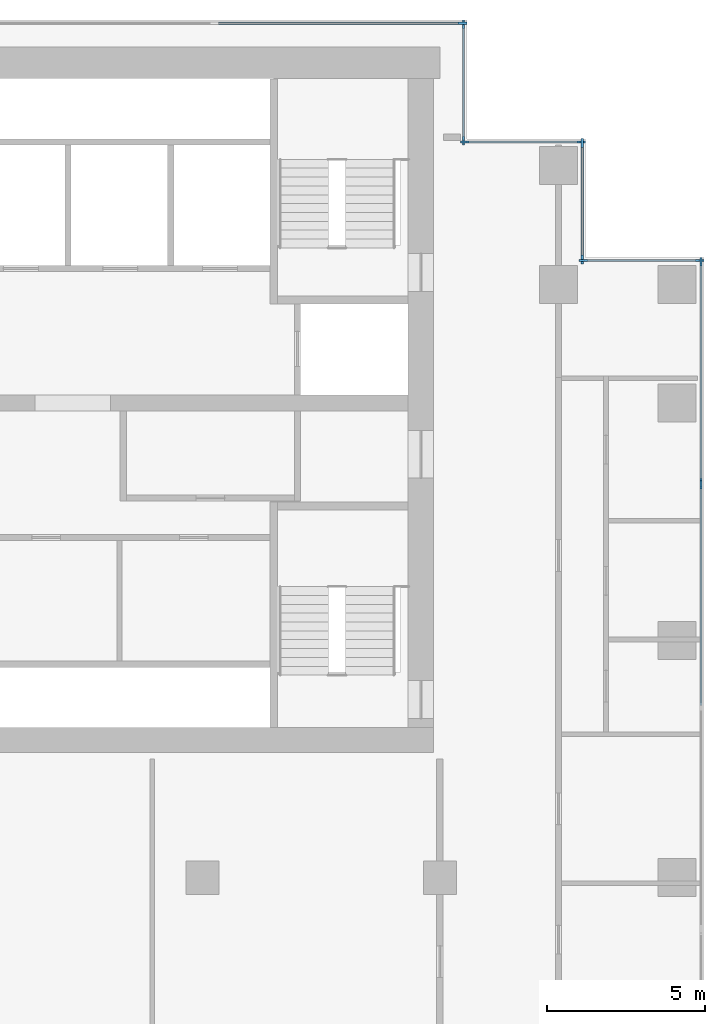
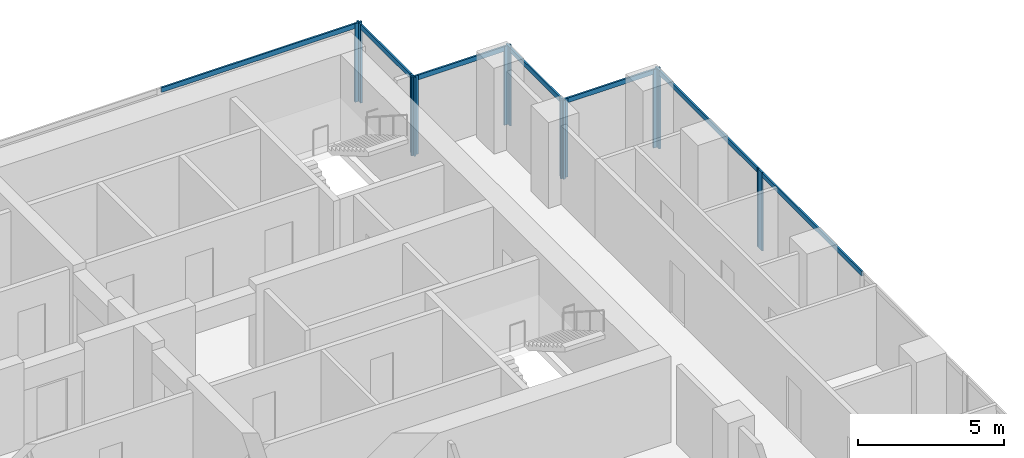
# One storey, part 5 of 10: 19 members, 7 elements without a shape of their own.
"""IFC4 building model written with IfcOpenShell, lengths in metres."""

from ifc_helpers import new_model, si_unit, direction, frame, origin, origin_2d, place, context, subcontext, project, spatial, rectangle, extrude, material, material_profile, profile_set, type_object, element, aggregate, save


model = new_model("IFC4")

# Units and contexts
model_context = context("Model", 3, precision=1e-05, world=origin(), true_north=direction((0.0, 1.0)))
body_context = subcontext(model_context, "Body", "Model", "MODEL_VIEW")
ifc_project = project(units=[si_unit("LENGTHUNIT", "METRE"), si_unit("AREAUNIT", "SQUARE_METRE"), si_unit("VOLUMEUNIT", "CUBIC_METRE"), si_unit("PLANEANGLEUNIT", "RADIAN"), si_unit("MASSUNIT", "GRAM", prefix="KILO")], contexts=[model_context])

# Site, building, storey
site_placement = place(None, origin())
site = spatial("IfcSite", under=ifc_project, at=site_placement, CompositionType="ELEMENT")
building_placement = place(site_placement, origin())
building = spatial("IfcBuilding", under=site, at=building_placement, Name="Pilkhan Gate Tower", CompositionType="ELEMENT")
storey_placement = place(building_placement, frame((0.0, 0.0, 176.5)))
storey = spatial("IfcBuildingStorey", under=building, at=storey_placement, Name="L45", CompositionType="ELEMENT", Elevation=176.5)

# Curtain wall, member
ifc_material_1 = material(Name="Pale anodised aluminium, clear low-iron double glazing", Category="aluminium")
curtain_wall_type = type_object("IfcCurtainWallType", Name="Office unitised curtain wall CW-O1", PredefinedType="USERDEFINED", material=ifc_material_1)
curtain_wall_1_placement = place(storey_placement, origin())
curtain_wall_1 = element("IfcCurtainWall", 1, at=curtain_wall_1_placement, inside=storey, type_object=curtain_wall_type, Name="Office unitised curtain wall CW-O1 L45 E", ObjectType="UNITISED CURTAIN WALL", PredefinedType="USERDEFINED")
ifc_material_2 = material(Name="Pale anodised aluminium", Category="aluminium")
ifc_material_profile_1 = material_profile(ifc_material_2, rectangle(XDim=0.070068359375, YDim=0.27490234375, at=origin_2d()), Name="Mullion 275x70")
ifc_profile_set_1 = profile_set([ifc_material_profile_1], Name="Pale anodised aluminium")
member_type_1 = type_object("IfcMemberType", Name="Mullion CW-O1 275x70", PredefinedType="MULLION", material=ifc_profile_set_1)
member_1_placement = place(storey_placement, frame((98.25, 79.9150390625, 0.0), z_axis=(0.0, 0.0, 1.0), x_axis=(-1.0, 0.0, 0.0)))
member_1 = element("IfcMember", 2, at=member_1_placement, type_object=member_type_1, Name="CW-O1 mullion 3", PredefinedType="MULLION", context=body_context, shape_type="SweptSolid", body=[
    extrude(rectangle(XDim=0.070068359375, YDim=0.27490234375, at=origin_2d()), origin(), (0.0, 0.0, 1.0), 3.300048828125),
])

# Curtain wall, members
curtain_wall_2_placement = place(storey_placement, origin())
curtain_wall_2 = element("IfcCurtainWall", 3, at=curtain_wall_2_placement, inside=storey, type_object=curtain_wall_type, Name="Office unitised curtain wall CW-O1 L45 E", ObjectType="UNITISED CURTAIN WALL", PredefinedType="USERDEFINED")
member_2_placement = place(storey_placement, frame((98.25, 79.985107421875, 0.0), z_axis=(0.0, 0.0, 1.0), x_axis=(-1.0, 0.0, 0.0)))
member_2 = element("IfcMember", 4, at=member_2_placement, type_object=member_type_1, Name="CW-O1 mullion 1", PredefinedType="MULLION", context=body_context, shape_type="SweptSolid", body=[
    extrude(rectangle(XDim=0.070068359375, YDim=0.27490234375, at=origin_2d()), origin(), (0.0, 0.0, 1.0), 3.300048828125),
])
member_3_placement = place(storey_placement, frame((98.25, 86.965087890625, 0.0), z_axis=(0.0, 0.0, 1.0), x_axis=(-1.0, 0.0, 0.0)))
member_3 = element("IfcMember", 5, at=member_3_placement, type_object=member_type_1, Name="CW-O1 mullion 2", PredefinedType="MULLION", context=body_context, shape_type="SweptSolid", body=[
    extrude(rectangle(XDim=0.070068359375, YDim=0.27490234375, at=origin_2d()), origin(), (0.0, 0.0, 1.0), 3.300048828125),
])

curtain_wall_3_placement = place(storey_placement, origin())
curtain_wall_3 = element("IfcCurtainWall", 6, at=curtain_wall_3_placement, inside=storey, type_object=curtain_wall_type, Name="Office unitised curtain wall CW-O1 L45 N", ObjectType="UNITISED CURTAIN WALL", PredefinedType="USERDEFINED")
member_4_placement = place(storey_placement, frame((94.534912109375, 87.0, 0.0), z_axis=(0.0, 0.0, 1.0), x_axis=(0.0, 1.0, 0.0)))
member_4 = element("IfcMember", 7, at=member_4_placement, type_object=member_type_1, Name="CW-O1 mullion 1", PredefinedType="MULLION", context=body_context, shape_type="SweptSolid", body=[
    extrude(rectangle(XDim=0.070068359375, YDim=0.27490234375, at=origin_2d()), origin(), (0.0, 0.0, 1.0), 3.300048828125),
])
member_5_placement = place(storey_placement, frame((98.215087890625, 87.0, 0.0), z_axis=(0.0, 0.0, 1.0), x_axis=(0.0, 1.0, 0.0)))
member_5 = element("IfcMember", 8, at=member_5_placement, type_object=member_type_1, Name="CW-O1 mullion 2", PredefinedType="MULLION", context=body_context, shape_type="SweptSolid", body=[
    extrude(rectangle(XDim=0.070068359375, YDim=0.27490234375, at=origin_2d()), origin(), (0.0, 0.0, 1.0), 3.300048828125),
])

curtain_wall_4_placement = place(storey_placement, origin())
curtain_wall_4 = element("IfcCurtainWall", 9, at=curtain_wall_4_placement, inside=storey, type_object=curtain_wall_type, Name="Office unitised curtain wall CW-O1 L45 E", ObjectType="UNITISED CURTAIN WALL", PredefinedType="USERDEFINED")
member_6_placement = place(storey_placement, frame((94.5, 87.034912109375, 0.0), z_axis=(0.0, 0.0, 1.0), x_axis=(-1.0, 0.0, 0.0)))
member_6 = element("IfcMember", 10, at=member_6_placement, type_object=member_type_1, Name="CW-O1 mullion 1", PredefinedType="MULLION", context=body_context, shape_type="SweptSolid", body=[
    extrude(rectangle(XDim=0.070068359375, YDim=0.27490234375, at=origin_2d()), origin(), (0.0, 0.0, 1.0), 3.300048828125),
])
member_7_placement = place(storey_placement, frame((94.5, 90.715087890625, 0.0), z_axis=(0.0, 0.0, 1.0), x_axis=(-1.0, 0.0, 0.0)))
member_7 = element("IfcMember", 11, at=member_7_placement, type_object=member_type_1, Name="CW-O1 mullion 2", PredefinedType="MULLION", context=body_context, shape_type="SweptSolid", body=[
    extrude(rectangle(XDim=0.070068359375, YDim=0.27490234375, at=origin_2d()), origin(), (0.0, 0.0, 1.0), 3.300048828125),
])

curtain_wall_5_placement = place(storey_placement, origin())
curtain_wall_5 = element("IfcCurtainWall", 12, at=curtain_wall_5_placement, inside=storey, type_object=curtain_wall_type, Name="Office unitised curtain wall CW-O1 L45 N", ObjectType="UNITISED CURTAIN WALL", PredefinedType="USERDEFINED")
member_8_placement = place(storey_placement, frame((90.784912109375, 90.75, 0.0), z_axis=(0.0, 0.0, 1.0), x_axis=(0.0, 1.0, 0.0)))
member_8 = element("IfcMember", 13, at=member_8_placement, type_object=member_type_1, Name="CW-O1 mullion 1", PredefinedType="MULLION", context=body_context, shape_type="SweptSolid", body=[
    extrude(rectangle(XDim=0.070068359375, YDim=0.27490234375, at=origin_2d()), origin(), (0.0, 0.0, 1.0), 3.300048828125),
])
member_9_placement = place(storey_placement, frame((94.465087890625, 90.75, 0.0), z_axis=(0.0, 0.0, 1.0), x_axis=(0.0, 1.0, 0.0)))
member_9 = element("IfcMember", 14, at=member_9_placement, type_object=member_type_1, Name="CW-O1 mullion 2", PredefinedType="MULLION", context=body_context, shape_type="SweptSolid", body=[
    extrude(rectangle(XDim=0.070068359375, YDim=0.27490234375, at=origin_2d()), origin(), (0.0, 0.0, 1.0), 3.300048828125),
])

curtain_wall_6_placement = place(storey_placement, origin())
curtain_wall_6 = element("IfcCurtainWall", 15, at=curtain_wall_6_placement, inside=storey, type_object=curtain_wall_type, Name="Office unitised curtain wall CW-O1 L45 E", ObjectType="UNITISED CURTAIN WALL", PredefinedType="USERDEFINED")
member_10_placement = place(storey_placement, frame((90.75, 90.784912109375, 0.0), z_axis=(0.0, 0.0, 1.0), x_axis=(-1.0, 0.0, 0.0)))
member_10 = element("IfcMember", 16, at=member_10_placement, type_object=member_type_1, Name="CW-O1 mullion 1", PredefinedType="MULLION", context=body_context, shape_type="SweptSolid", body=[
    extrude(rectangle(XDim=0.070068359375, YDim=0.27490234375, at=origin_2d()), origin(), (0.0, 0.0, 1.0), 3.300048828125),
])
member_11_placement = place(storey_placement, frame((90.75, 94.465087890625, 0.0), z_axis=(0.0, 0.0, 1.0), x_axis=(-1.0, 0.0, 0.0)))
member_11 = element("IfcMember", 17, at=member_11_placement, type_object=member_type_1, Name="CW-O1 mullion 2", PredefinedType="MULLION", context=body_context, shape_type="SweptSolid", body=[
    extrude(rectangle(XDim=0.070068359375, YDim=0.27490234375, at=origin_2d()), origin(), (0.0, 0.0, 1.0), 3.300048828125),
])

# Curtain wall, member
curtain_wall_7_placement = place(storey_placement, origin())
curtain_wall_7 = element("IfcCurtainWall", 18, at=curtain_wall_7_placement, inside=storey, type_object=curtain_wall_type, Name="Office unitised curtain wall CW-O1 L45 N", ObjectType="UNITISED CURTAIN WALL", PredefinedType="USERDEFINED")
member_12_placement = place(storey_placement, frame((90.715087890625, 94.5, 0.0), z_axis=(0.0, 0.0, 1.0), x_axis=(0.0, 1.0, 0.0)))
member_12 = element("IfcMember", 19, at=member_12_placement, type_object=member_type_1, Name="CW-O1 mullion 3", PredefinedType="MULLION", context=body_context, shape_type="SweptSolid", body=[
    extrude(rectangle(XDim=0.070068359375, YDim=0.27490234375, at=origin_2d()), origin(), (0.0, 0.0, 1.0), 3.300048828125),
])

# Member
ifc_material_profile_2 = material_profile(ifc_material_2, rectangle(XDim=0.070068359375, YDim=0.199951171875, at=origin_2d()), Name="Transom 200x70")
ifc_profile_set_2 = profile_set([ifc_material_profile_2], Name="Pale anodised aluminium")
member_type_2 = type_object("IfcMemberType", Name="Transom CW-O1 200x70", PredefinedType="USERDEFINED", material=ifc_profile_set_2)
member_13_placement = place(storey_placement, frame((98.25, 72.93505859375, 3.199951171875), z_axis=(0.0, 1.0, 0.0), x_axis=(-1.0, 0.0, 0.0)))
member_13 = element("IfcMember", 20, at=member_13_placement, type_object=member_type_2, Name="CW-O1 transom 2", ObjectType="TRANSOM", PredefinedType="USERDEFINED", context=body_context, shape_type="SweptSolid", body=[
    extrude(rectangle(XDim=0.070068359375, YDim=0.199951171875, at=origin_2d()), origin(), (0.0, 0.0, 1.0), 6.94482421875),
])

aggregate(curtain_wall_1, [member_1, member_13])

member_14_placement = place(storey_placement, frame((98.25, 80.02001953125, 3.199951171875), z_axis=(0.0, 1.0, 0.0), x_axis=(-1.0, 0.0, 0.0)))
member_14 = element("IfcMember", 21, at=member_14_placement, type_object=member_type_2, Name="CW-O1 transom 1", ObjectType="TRANSOM", PredefinedType="USERDEFINED", context=body_context, shape_type="SweptSolid", body=[
    extrude(rectangle(XDim=0.070068359375, YDim=0.199951171875, at=origin_2d()), origin(), (0.0, 0.0, 1.0), 6.909912109375),
])

aggregate(curtain_wall_2, [member_2, member_3, member_14])

member_15_placement = place(storey_placement, frame((94.570068359375, 87.0, 3.199951171875), z_axis=(1.0, 0.0, 0.0), x_axis=(0.0, 1.0, 0.0)))
member_15 = element("IfcMember", 22, at=member_15_placement, type_object=member_type_2, Name="CW-O1 transom 1", ObjectType="TRANSOM", PredefinedType="USERDEFINED", context=body_context, shape_type="SweptSolid", body=[
    extrude(rectangle(XDim=0.070068359375, YDim=0.199951171875, at=origin_2d()), origin(), (0.0, 0.0, 1.0), 3.60986328125),
])

aggregate(curtain_wall_3, [member_4, member_5, member_15])

member_16_placement = place(storey_placement, frame((94.5, 87.070068359375, 3.199951171875), z_axis=(0.0, 1.0, 0.0), x_axis=(-1.0, 0.0, 0.0)))
member_16 = element("IfcMember", 23, at=member_16_placement, type_object=member_type_2, Name="CW-O1 transom 1", ObjectType="TRANSOM", PredefinedType="USERDEFINED", context=body_context, shape_type="SweptSolid", body=[
    extrude(rectangle(XDim=0.070068359375, YDim=0.199951171875, at=origin_2d()), origin(), (0.0, 0.0, 1.0), 3.60986328125),
])

aggregate(curtain_wall_4, [member_6, member_7, member_16])

member_17_placement = place(storey_placement, frame((90.820068359375, 90.75, 3.199951171875), z_axis=(1.0, 0.0, 0.0), x_axis=(0.0, 1.0, 0.0)))
member_17 = element("IfcMember", 24, at=member_17_placement, type_object=member_type_2, Name="CW-O1 transom 1", ObjectType="TRANSOM", PredefinedType="USERDEFINED", context=body_context, shape_type="SweptSolid", body=[
    extrude(rectangle(XDim=0.070068359375, YDim=0.199951171875, at=origin_2d()), origin(), (0.0, 0.0, 1.0), 3.60986328125),
])

aggregate(curtain_wall_5, [member_8, member_9, member_17])

member_18_placement = place(storey_placement, frame((90.75, 90.820068359375, 3.199951171875), z_axis=(0.0, 1.0, 0.0), x_axis=(-1.0, 0.0, 0.0)))
member_18 = element("IfcMember", 25, at=member_18_placement, type_object=member_type_2, Name="CW-O1 transom 1", ObjectType="TRANSOM", PredefinedType="USERDEFINED", context=body_context, shape_type="SweptSolid", body=[
    extrude(rectangle(XDim=0.070068359375, YDim=0.199951171875, at=origin_2d()), origin(), (0.0, 0.0, 1.0), 3.60986328125),
])

aggregate(curtain_wall_6, [member_10, member_11, member_18])

member_19_placement = place(storey_placement, frame((82.909912109375, 94.5, 3.199951171875), z_axis=(1.0, 0.0, 0.0), x_axis=(0.0, 1.0, 0.0)))
member_19 = element("IfcMember", 26, at=member_19_placement, type_object=member_type_2, Name="CW-O1 transom 2", ObjectType="TRANSOM", PredefinedType="USERDEFINED", context=body_context, shape_type="SweptSolid", body=[
    extrude(rectangle(XDim=0.070068359375, YDim=0.199951171875, at=origin_2d()), origin(), (0.0, 0.0, 1.0), 7.77001953125),
])

aggregate(curtain_wall_7, [member_12, member_19])

save(model, "model.ifc")
